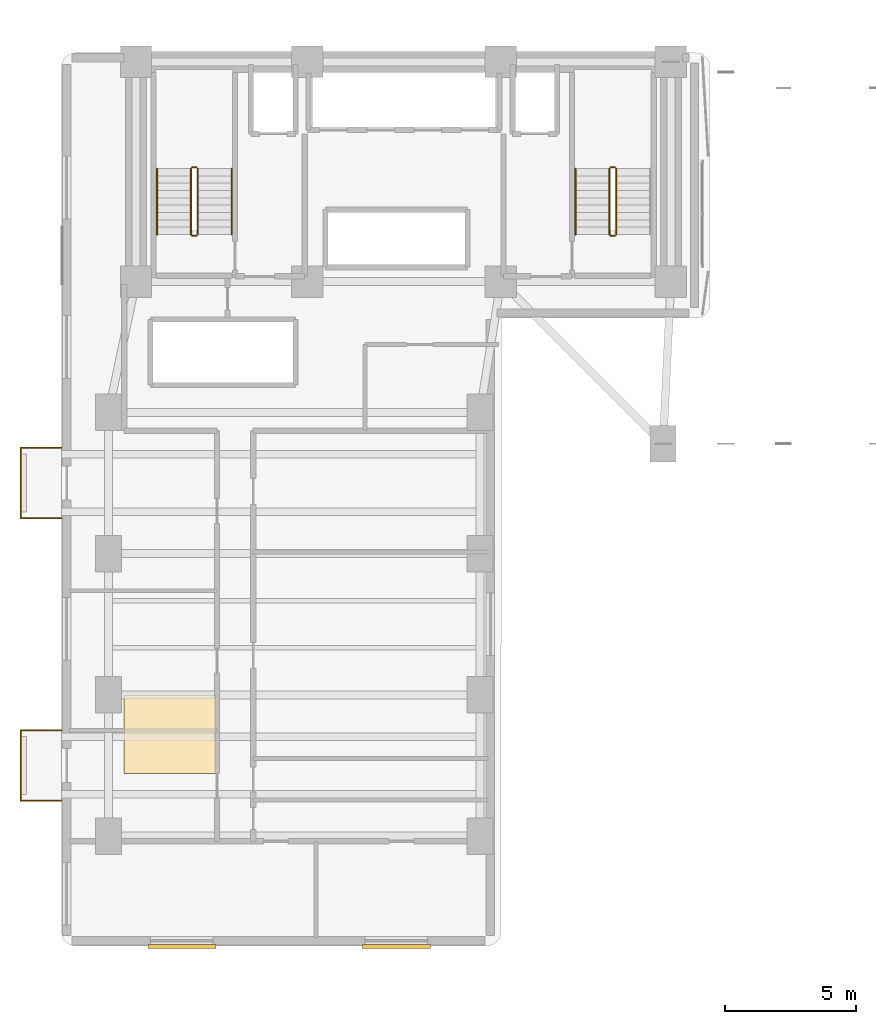
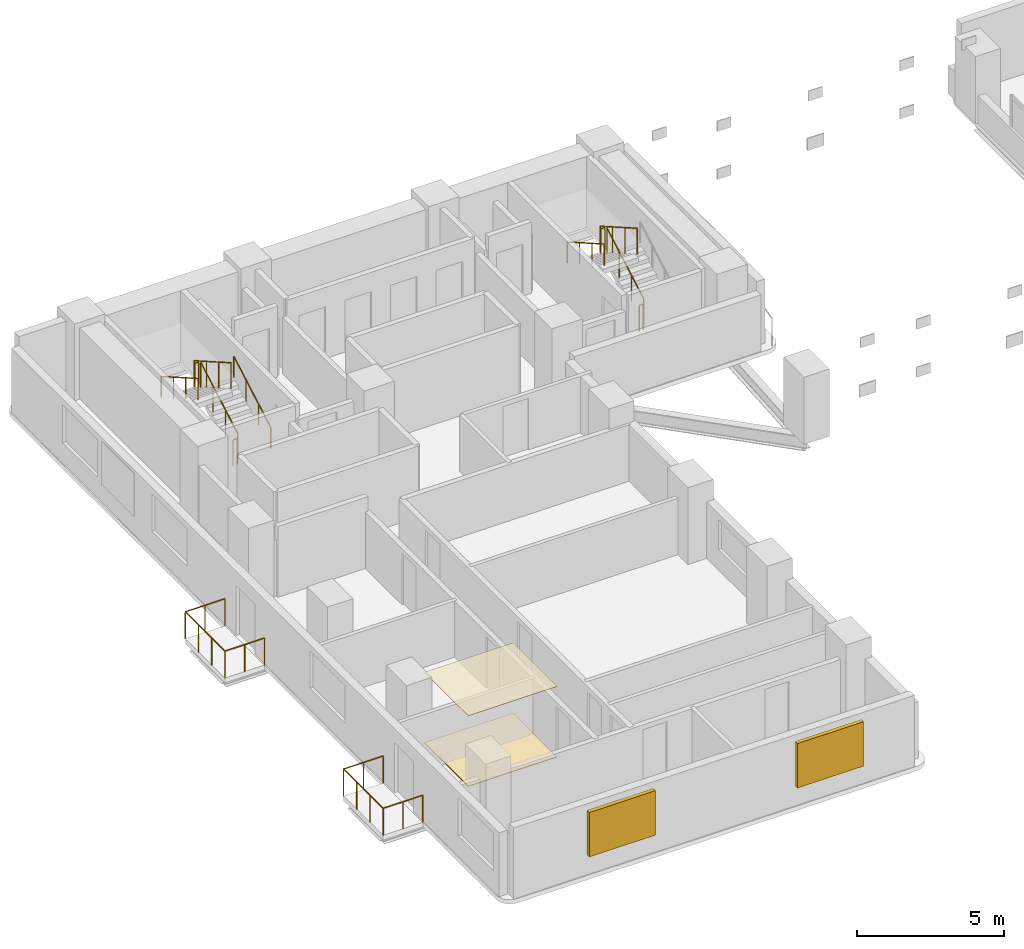
# One storey, part 12 of 14: 17 railings, 2 coverings, 2 shading devices.
"""IFC4 building model written with IfcOpenShell, lengths in metres."""

from ifc_helpers import new_model, si_unit, direction, frame, origin, origin_2d, place, context, subcontext, project, spatial, polyline, rectangle, circle, outline, extrude, material, layer, layer_set, type_object, element, save


model = new_model("IFC4")

# Units and contexts
model_context = context("Model", 3, precision=1e-05, world=origin(), true_north=direction((0.0, 1.0)))
body_context = subcontext(model_context, "Body", "Model", "MODEL_VIEW")
ifc_project = project(units=[si_unit("LENGTHUNIT", "METRE"), si_unit("AREAUNIT", "SQUARE_METRE"), si_unit("VOLUMEUNIT", "CUBIC_METRE"), si_unit("PLANEANGLEUNIT", "RADIAN"), si_unit("MASSUNIT", "GRAM", prefix="KILO")], contexts=[model_context])

# Site, building, storey
site_placement = place(None, origin())
site = spatial("IfcSite", under=ifc_project, at=site_placement, CompositionType="ELEMENT")
building_placement = place(site_placement, origin())
building = spatial("IfcBuilding", under=site, at=building_placement, Name="Kuzgunbayir Cultural Tower", CompositionType="ELEMENT")
storey_placement = place(building_placement, frame((0.0, 0.0, 36.60009765625)))
storey = spatial("IfcBuildingStorey", under=building, at=storey_placement, Name="L09", CompositionType="ELEMENT", Elevation=36.60009765625)

# Coverings
ifc_material_1 = material(Name="Perforated Gypsum Acoustic Tile", Category="gypsum")
ifc_layer_1 = layer(ifc_material_1, 0.02490234375)
ifc_layer_set_1 = layer_set([ifc_layer_1], Name="Perforated Gypsum Acoustic Tile")
covering_type_1 = type_object("IfcCoveringType", Name="COV-CEIL-ACOUSTIC", PredefinedType="CEILING", material=ifc_layer_set_1)
covering_1_placement = place(storey_placement, frame((0.0, 0.0, 2.93994140625)))
element("IfcCovering", 1, at=covering_1_placement, inside=storey, type_object=covering_type_1, Name="L09 Acoustic Soffit Ceiling", PredefinedType="CEILING", context=body_context, shape_type="SweptSolid", body=[
    extrude(outline(polyline([(6.0, 15.0), (9.5, 15.0), (9.5, 18.0), (6.0, 18.0), (6.0, 15.0)])), origin(), (0.0, 0.0, 1.0), 0.02001953125),
])
ifc_material_2 = material(Name="Honed Anatolian Marble Terrazzo", Category="masonry")
ifc_layer_2 = layer(ifc_material_2, 0.030029296875)
ifc_layer_set_2 = layer_set([ifc_layer_2], Name="Honed Anatolian Marble Terrazzo")
covering_type_2 = type_object("IfcCoveringType", Name="COV-FLOOR-TERRAZZO", PredefinedType="FLOORING", material=ifc_layer_set_2)
covering_2_placement = place(storey_placement, origin())
element("IfcCovering", 2, at=covering_2_placement, inside=storey, type_object=covering_type_2, Name="L09 Acoustic Floor Finish", PredefinedType="FLOORING", context=body_context, shape_type="SweptSolid", body=[
    extrude(outline(polyline([(6.0, 15.0), (9.5, 15.0), (9.5, 18.0), (6.0, 18.0), (6.0, 15.0)])), origin(), (0.0, 0.0, 1.0), 0.02978515625),
])

# Railings
ifc_material_3 = material(Name="Laminated Glass and Stainless Steel", Category="steel")
ifc_layer_3 = layer(ifc_material_3, 0.080078125)
ifc_layer_set_3 = layer_set([ifc_layer_3], Name="Laminated Glass and Stainless Steel")
railing_type_1 = type_object("IfcRailingType", Name="RLG-BAL-115", PredefinedType="BALUSTRADE", material=ifc_layer_set_3)
railing_1_placement = place(storey_placement, frame((3.60009765625, 13.949951171875, 0.0)))
element("IfcRailing", 3, at=railing_1_placement, inside=storey, type_object=railing_type_1, Name="L09 Balcony Guard BAL-L09-WA1 Segment 1", PredefinedType="BALUSTRADE", context=body_context, shape_type="SweptSolid", body=[
    extrude(circle(Radius=0.02392578125, at=origin_2d()), frame((0.0, 0.0, 1.1259765625), z_axis=(-1.0, 0.0, 0.0), x_axis=(0.0, -1.0, 0.0)), (0.0, 0.0, 1.0), 1.56005859375),
    extrude(circle(Radius=0.02099609375, at=origin_2d()), origin(), (0.0, 0.0, 1.0), 1.101806640625),
    extrude(circle(Radius=0.02099609375, at=origin_2d()), frame((-0.780029296875, 0.0, 0.0)), (0.0, 0.0, 1.0), 1.101806640625),
    extrude(circle(Radius=0.02099609375, at=origin_2d()), frame((-1.56005859375, 0.0, 0.0)), (0.0, 0.0, 1.0), 1.101806640625),
])
railing_2_placement = place(storey_placement, frame((2.0400390625, 13.949951171875, 0.0)))
element("IfcRailing", 4, at=railing_2_placement, inside=storey, type_object=railing_type_1, Name="L09 Balcony Guard BAL-L09-WA1 Segment 2", PredefinedType="BALUSTRADE", context=body_context, shape_type="SweptSolid", body=[
    extrude(circle(Radius=0.02392578125, at=origin_2d()), frame((0.0, 0.0, 1.1259765625), z_axis=(0.0, 1.0, 0.0), x_axis=(-1.0, 0.0, 0.0)), (0.0, 0.0, 1.0), 2.699951171875),
    extrude(circle(Radius=0.02099609375, at=origin_2d()), origin(), (0.0, 0.0, 1.0), 1.101806640625),
    extrude(circle(Radius=0.02099609375, at=origin_2d()), frame((0.0, 0.89990234375, 0.0)), (0.0, 0.0, 1.0), 1.101806640625),
    extrude(circle(Radius=0.02099609375, at=origin_2d()), frame((0.0, 1.800048828125, 0.0)), (0.0, 0.0, 1.0), 1.101806640625),
    extrude(circle(Radius=0.02099609375, at=origin_2d()), frame((0.0, 2.699951171875, 0.0)), (0.0, 0.0, 1.0), 1.101806640625),
])
railing_3_placement = place(storey_placement, frame((2.0400390625, 16.64990234375, 0.0)))
element("IfcRailing", 5, at=railing_3_placement, inside=storey, type_object=railing_type_1, Name="L09 Balcony Guard BAL-L09-WA1 Segment 3", PredefinedType="BALUSTRADE", context=body_context, shape_type="SweptSolid", body=[
    extrude(circle(Radius=0.02392578125, at=origin_2d()), frame((0.0, 0.0, 1.1259765625), z_axis=(1.0, 0.0, 0.0), x_axis=(0.0, 1.0, 0.0)), (0.0, 0.0, 1.0), 1.56005859375),
    extrude(circle(Radius=0.02099609375, at=origin_2d()), origin(), (0.0, 0.0, 1.0), 1.101806640625),
    extrude(circle(Radius=0.02099609375, at=origin_2d()), frame((0.780029296875, 0.0, 0.0)), (0.0, 0.0, 1.0), 1.101806640625),
    extrude(circle(Radius=0.02099609375, at=origin_2d()), frame((1.56005859375, 0.0, 0.0)), (0.0, 0.0, 1.0), 1.101806640625),
])
railing_4_placement = place(storey_placement, frame((3.60009765625, 24.75, 0.0)))
element("IfcRailing", 6, at=railing_4_placement, inside=storey, type_object=railing_type_1, Name="L09 Balcony Guard BAL-L09-WA3 Segment 1", PredefinedType="BALUSTRADE", context=body_context, shape_type="SweptSolid", body=[
    extrude(circle(Radius=0.02392578125, at=origin_2d()), frame((0.0, 0.0, 1.1259765625), z_axis=(-1.0, 0.0, 0.0), x_axis=(0.0, -1.0, 0.0)), (0.0, 0.0, 1.0), 1.56005859375),
    extrude(circle(Radius=0.02099609375, at=origin_2d()), origin(), (0.0, 0.0, 1.0), 1.101806640625),
    extrude(circle(Radius=0.02099609375, at=origin_2d()), frame((-0.780029296875, 0.0, 0.0)), (0.0, 0.0, 1.0), 1.101806640625),
    extrude(circle(Radius=0.02099609375, at=origin_2d()), frame((-1.56005859375, 0.0, 0.0)), (0.0, 0.0, 1.0), 1.101806640625),
])
railing_5_placement = place(storey_placement, frame((2.0400390625, 24.75, 0.0)))
element("IfcRailing", 7, at=railing_5_placement, inside=storey, type_object=railing_type_1, Name="L09 Balcony Guard BAL-L09-WA3 Segment 2", PredefinedType="BALUSTRADE", context=body_context, shape_type="SweptSolid", body=[
    extrude(circle(Radius=0.02392578125, at=origin_2d()), frame((0.0, 0.0, 1.1259765625), z_axis=(0.0, 1.0, 0.0), x_axis=(-1.0, 0.0, 0.0)), (0.0, 0.0, 1.0), 2.699951171875),
    extrude(circle(Radius=0.02099609375, at=origin_2d()), origin(), (0.0, 0.0, 1.0), 1.101806640625),
    extrude(circle(Radius=0.02099609375, at=origin_2d()), frame((0.0, 0.89990234375, 0.0)), (0.0, 0.0, 1.0), 1.101806640625),
    extrude(circle(Radius=0.02099609375, at=origin_2d()), frame((0.0, 1.800048828125, 0.0)), (0.0, 0.0, 1.0), 1.101806640625),
    extrude(circle(Radius=0.02099609375, at=origin_2d()), frame((0.0, 2.699951171875, 0.0)), (0.0, 0.0, 1.0), 1.101806640625),
])
railing_6_placement = place(storey_placement, frame((2.0400390625, 27.449951171875, 0.0)))
element("IfcRailing", 8, at=railing_6_placement, inside=storey, type_object=railing_type_1, Name="L09 Balcony Guard BAL-L09-WA3 Segment 3", PredefinedType="BALUSTRADE", context=body_context, shape_type="SweptSolid", body=[
    extrude(circle(Radius=0.02392578125, at=origin_2d()), frame((0.0, 0.0, 1.1259765625), z_axis=(1.0, 0.0, 0.0), x_axis=(0.0, 1.0, 0.0)), (0.0, 0.0, 1.0), 1.56005859375),
    extrude(circle(Radius=0.02099609375, at=origin_2d()), origin(), (0.0, 0.0, 1.0), 1.101806640625),
    extrude(circle(Radius=0.02099609375, at=origin_2d()), frame((0.780029296875, 0.0, 0.0)), (0.0, 0.0, 1.0), 1.101806640625),
    extrude(circle(Radius=0.02099609375, at=origin_2d()), frame((1.56005859375, 0.0, 0.0)), (0.0, 0.0, 1.0), 1.101806640625),
])
ifc_material_4 = material(Name="Brushed Stainless Steel", Category="steel")
ifc_layer_4 = layer(ifc_material_4, 0.050048828125)
ifc_layer_set_4 = layer_set([ifc_layer_4], Name="Brushed Stainless Steel")
railing_type_2 = type_object("IfcRailingType", Name="RLG-STAIR-HANDRAIL", PredefinedType="HANDRAIL", material=ifc_layer_set_4)
railing_7_placement = place(storey_placement, frame((10.110107421875, 35.60009765625, 0.159912109375)))
element("IfcRailing", 9, at=railing_7_placement, inside=storey, type_object=railing_type_2, Name="L09 ST-1 stair handrail 1", PredefinedType="HANDRAIL", context=body_context, shape_type="SweptSolid", body=[
    extrude(circle(Radius=0.02392578125, at=origin_2d()), frame((0.0, 0.0, 0.8759765625), z_axis=(0.0, 0.868253494771, 0.496120820787), x_axis=(-1.0, 0.0, 0.0)), (0.0, 0.0, 1.0), 2.90234375),
    extrude(circle(Radius=0.02099609375, at=origin_2d()), origin(), (0.0, 0.0, 1.0), 0.851806640625),
    extrude(circle(Radius=0.02099609375, at=origin_2d()), frame((0.0, 0.840087890625, 0.47998046875)), (0.0, 0.0, 1.0), 0.851806640625),
    extrude(circle(Radius=0.02099609375, at=origin_2d()), frame((0.0, 1.679931640625, 0.9599609375)), (0.0, 0.0, 1.0), 0.851806640625),
    extrude(circle(Radius=0.02099609375, at=origin_2d()), frame((0.0, 2.52001953125, 1.43994140625)), (0.0, 0.0, 1.0), 0.851806640625),
])
for number, where, name in (
    (10, (7.25, 38.1201171875, 1.760009765625), "L09 ST-1 stair handrail 2"),
    (11, (23.25, 38.1201171875, 1.760009765625), "L09 ST-2 stair handrail 2"),
):
    element("IfcRailing", number, at=place(storey_placement, frame(where)), inside=storey, type_object=railing_type_2, Name=name, PredefinedType="HANDRAIL", context=body_context, shape_type="SweptSolid", body=[
        extrude(circle(Radius=0.02392578125, at=origin_2d()), frame((0.0, 0.0, 0.8759765625), z_axis=(0.0, -0.868253494771, 0.496120820787), x_axis=(1.0, 0.0, 0.0)), (0.0, 0.0, 1.0), 2.90234375),
        extrude(circle(Radius=0.02099609375, at=origin_2d()), origin(), (0.0, 0.0, 1.0), 0.851806640625),
        extrude(circle(Radius=0.02099609375, at=origin_2d()), frame((0.0, -0.840087890625, 0.47998046875)), (0.0, 0.0, 1.0), 0.851806640625),
        extrude(circle(Radius=0.02099609375, at=origin_2d()), frame((0.0, -1.679931640625, 0.9599609375)), (0.0, 0.0, 1.0), 0.851806640625),
        extrude(circle(Radius=0.02099609375, at=origin_2d()), frame((0.0, -2.52001953125, 1.43994140625)), (0.0, 0.0, 1.0), 0.851806640625),
    ])
ifc_material_5 = material(Name="Painted Steel Balustrade", Category="steel")
ifc_layer_5 = layer(ifc_material_5, 0.06005859375)
ifc_layer_set_5 = layer_set([ifc_layer_5], Name="Painted Steel Balustrade")
railing_type_3 = type_object("IfcRailingType", Name="RLG-WELL-GUARD", PredefinedType="GUARDRAIL", material=ifc_layer_set_5)
railing_8_placement = place(storey_placement, frame((8.81005859375, 35.60009765625, 0.159912109375)))
element("IfcRailing", 12, at=railing_8_placement, inside=storey, type_object=railing_type_3, Name="L09 ST-1 stair guard 1", PredefinedType="GUARDRAIL", context=body_context, shape_type="SweptSolid", body=[
    extrude(circle(Radius=0.02392578125, at=origin_2d()), frame((0.0, 0.0, 1.076171875), z_axis=(0.0, 0.868253494771, 0.496120820787), x_axis=(-1.0, 0.0, 0.0)), (0.0, 0.0, 1.0), 2.90234375),
    extrude(circle(Radius=0.02099609375, at=origin_2d()), origin(), (0.0, 0.0, 1.0), 1.052001953125),
    extrude(circle(Radius=0.02099609375, at=origin_2d()), frame((0.0, 0.840087890625, 0.47998046875)), (0.0, 0.0, 1.0), 1.052001953125),
    extrude(circle(Radius=0.02099609375, at=origin_2d()), frame((0.0, 1.679931640625, 0.9599609375)), (0.0, 0.0, 1.0), 1.052001953125),
    extrude(circle(Radius=0.02099609375, at=origin_2d()), frame((0.0, 2.52001953125, 1.43994140625)), (0.0, 0.0, 1.0), 1.052001953125),
])
railing_9_placement = place(storey_placement, frame((8.760009765625, 38.169921875, 1.599853515625)))
element("IfcRailing", 13, at=railing_9_placement, inside=storey, type_object=railing_type_3, Name="L09 ST-1 stair guard 2", PredefinedType="GUARDRAIL", context=body_context, shape_type="SweptSolid", body=[
    extrude(circle(Radius=0.02392578125, at=origin_2d()), frame((0.0, 0.0, 1.076171875), z_axis=(-1.0, 0.0, 0.0), x_axis=(0.0, -1.0, 0.0)), (0.0, 0.0, 1.0), 0.159912109375),
    extrude(circle(Radius=0.02099609375, at=origin_2d()), origin(), (0.0, 0.0, 1.0), 1.052001953125),
    extrude(circle(Radius=0.02099609375, at=origin_2d()), frame((-0.159912109375, 0.0, 0.0)), (0.0, 0.0, 1.0), 1.052001953125),
])
railing_10_placement = place(storey_placement, frame((8.550048828125, 38.1201171875, 1.760009765625)))
element("IfcRailing", 14, at=railing_10_placement, inside=storey, type_object=railing_type_3, Name="L09 ST-1 stair guard 3", PredefinedType="GUARDRAIL", context=body_context, shape_type="SweptSolid", body=[
    extrude(circle(Radius=0.02392578125, at=origin_2d()), frame((0.0, 0.0, 1.076171875), z_axis=(0.0, -0.868253494771, 0.496120820787), x_axis=(1.0, 0.0, 0.0)), (0.0, 0.0, 1.0), 2.90234375),
    extrude(circle(Radius=0.02099609375, at=origin_2d()), origin(), (0.0, 0.0, 1.0), 1.052001953125),
    extrude(circle(Radius=0.02099609375, at=origin_2d()), frame((0.0, -0.840087890625, 0.47998046875)), (0.0, 0.0, 1.0), 1.052001953125),
    extrude(circle(Radius=0.02099609375, at=origin_2d()), frame((0.0, -1.679931640625, 0.9599609375)), (0.0, 0.0, 1.0), 1.052001953125),
    extrude(circle(Radius=0.02099609375, at=origin_2d()), frame((0.0, -2.52001953125, 1.43994140625)), (0.0, 0.0, 1.0), 1.052001953125),
])
railing_11_placement = place(storey_placement, frame((8.760009765625, 35.550048828125, 0.0)))
element("IfcRailing", 15, at=railing_11_placement, inside=storey, type_object=railing_type_3, Name="L09 ST-1 stair guard 4", PredefinedType="GUARDRAIL", context=body_context, shape_type="SweptSolid", body=[
    extrude(circle(Radius=0.02392578125, at=origin_2d()), frame((0.0, 0.0, 1.076171875), z_axis=(-1.0, 0.0, 0.0), x_axis=(0.0, -1.0, 0.0)), (0.0, 0.0, 1.0), 0.159912109375),
    extrude(circle(Radius=0.02099609375, at=origin_2d()), origin(), (0.0, 0.0, 1.0), 1.052001953125),
    extrude(circle(Radius=0.02099609375, at=origin_2d()), frame((-0.159912109375, 0.0, 0.0)), (0.0, 0.0, 1.0), 1.052001953125),
])
railing_12_placement = place(storey_placement, frame((24.81005859375, 35.60009765625, 0.159912109375)))
element("IfcRailing", 16, at=railing_12_placement, inside=storey, type_object=railing_type_3, Name="L09 ST-2 stair guard 1", PredefinedType="GUARDRAIL", context=body_context, shape_type="SweptSolid", body=[
    extrude(circle(Radius=0.02392578125, at=origin_2d()), frame((0.0, 0.0, 1.076171875), z_axis=(0.0, 0.868253494771, 0.496120820787), x_axis=(-1.0, 0.0, 0.0)), (0.0, 0.0, 1.0), 2.90234375),
    extrude(circle(Radius=0.02099609375, at=origin_2d()), origin(), (0.0, 0.0, 1.0), 1.052001953125),
    extrude(circle(Radius=0.02099609375, at=origin_2d()), frame((0.0, 0.840087890625, 0.47998046875)), (0.0, 0.0, 1.0), 1.052001953125),
    extrude(circle(Radius=0.02099609375, at=origin_2d()), frame((0.0, 1.679931640625, 0.9599609375)), (0.0, 0.0, 1.0), 1.052001953125),
    extrude(circle(Radius=0.02099609375, at=origin_2d()), frame((0.0, 2.52001953125, 1.43994140625)), (0.0, 0.0, 1.0), 1.052001953125),
])
railing_13_placement = place(storey_placement, frame((24.760009765625, 38.169921875, 1.599853515625)))
element("IfcRailing", 17, at=railing_13_placement, inside=storey, type_object=railing_type_3, Name="L09 ST-2 stair guard 2", PredefinedType="GUARDRAIL", context=body_context, shape_type="SweptSolid", body=[
    extrude(circle(Radius=0.02392578125, at=origin_2d()), frame((0.0, 0.0, 1.076171875), z_axis=(-1.0, 0.0, 0.0), x_axis=(0.0, -1.0, 0.0)), (0.0, 0.0, 1.0), 0.159912109375),
    extrude(circle(Radius=0.02099609375, at=origin_2d()), origin(), (0.0, 0.0, 1.0), 1.052001953125),
    extrude(circle(Radius=0.02099609375, at=origin_2d()), frame((-0.159912109375, 0.0, 0.0)), (0.0, 0.0, 1.0), 1.052001953125),
])
railing_14_placement = place(storey_placement, frame((24.550048828125, 38.1201171875, 1.760009765625)))
element("IfcRailing", 18, at=railing_14_placement, inside=storey, type_object=railing_type_3, Name="L09 ST-2 stair guard 3", PredefinedType="GUARDRAIL", context=body_context, shape_type="SweptSolid", body=[
    extrude(circle(Radius=0.02392578125, at=origin_2d()), frame((0.0, 0.0, 1.076171875), z_axis=(0.0, -0.868253494771, 0.496120820787), x_axis=(1.0, 0.0, 0.0)), (0.0, 0.0, 1.0), 2.90234375),
    extrude(circle(Radius=0.02099609375, at=origin_2d()), origin(), (0.0, 0.0, 1.0), 1.052001953125),
    extrude(circle(Radius=0.02099609375, at=origin_2d()), frame((0.0, -0.840087890625, 0.47998046875)), (0.0, 0.0, 1.0), 1.052001953125),
    extrude(circle(Radius=0.02099609375, at=origin_2d()), frame((0.0, -1.679931640625, 0.9599609375)), (0.0, 0.0, 1.0), 1.052001953125),
    extrude(circle(Radius=0.02099609375, at=origin_2d()), frame((0.0, -2.52001953125, 1.43994140625)), (0.0, 0.0, 1.0), 1.052001953125),
])
railing_15_placement = place(storey_placement, frame((24.760009765625, 35.550048828125, 0.0)))
element("IfcRailing", 19, at=railing_15_placement, inside=storey, type_object=railing_type_3, Name="L09 ST-2 stair guard 4", PredefinedType="GUARDRAIL", context=body_context, shape_type="SweptSolid", body=[
    extrude(circle(Radius=0.02392578125, at=origin_2d()), frame((0.0, 0.0, 1.076171875), z_axis=(-1.0, 0.0, 0.0), x_axis=(0.0, -1.0, 0.0)), (0.0, 0.0, 1.0), 0.159912109375),
    extrude(circle(Radius=0.02099609375, at=origin_2d()), origin(), (0.0, 0.0, 1.0), 1.052001953125),
    extrude(circle(Radius=0.02099609375, at=origin_2d()), frame((-0.159912109375, 0.0, 0.0)), (0.0, 0.0, 1.0), 1.052001953125),
])

# Shading devices
ifc_material_6 = material(Name="Warm Terracotta Ceramic Baguette", Category="masonry")
shading_device_type = type_object("IfcShadingDeviceType", Name="SHD-SOLAR-CERAMIC", PredefinedType="SHUTTER", material=ifc_material_6)
for number, where, z_axis, x_axis, name in (
    (20, (8.199951171875, 8.3798828125, 0.824951171875), (0.0, 0.0, 1.0), (1.0, 0.0, 0.0), "L09 Solar Screen WAS6"),
    (21, (16.39990234375, 8.3798828125, 0.824951171875), (0.0, 0.0, 1.0), (1.0, 0.0, 0.0), "L09 Solar Screen WAS7"),
):
    element("IfcShadingDevice", number, at=place(storey_placement, frame(where, z_axis=z_axis, x_axis=x_axis)), inside=storey, type_object=shading_device_type, Name=name, PredefinedType="SHUTTER", context=body_context, shape_type="SweptSolid", body=[
        extrude(rectangle(XDim=2.60009765625, YDim=0.159912109375, at=origin_2d()), origin(), (0.0, 0.0, 1.0), 1.85009765625),
    ])

save(model, "model.ifc")
